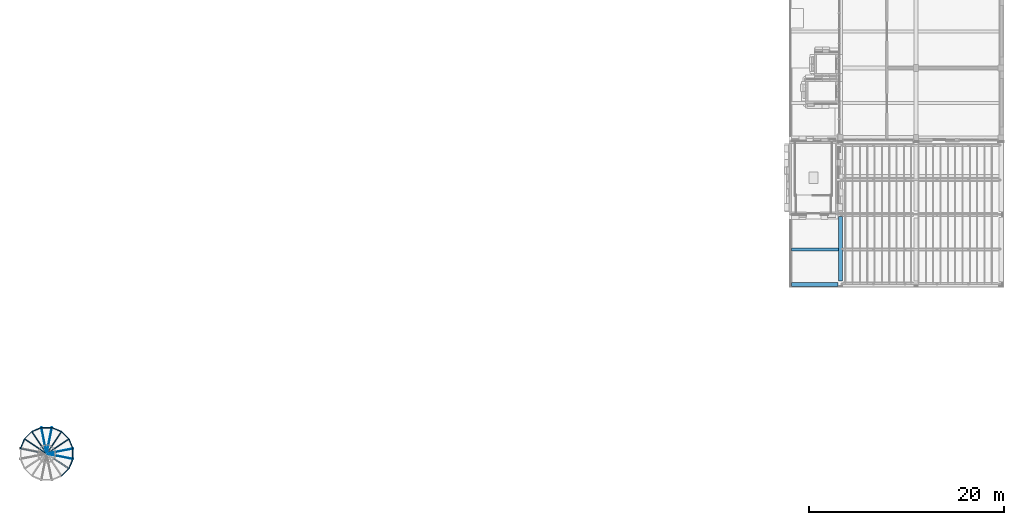
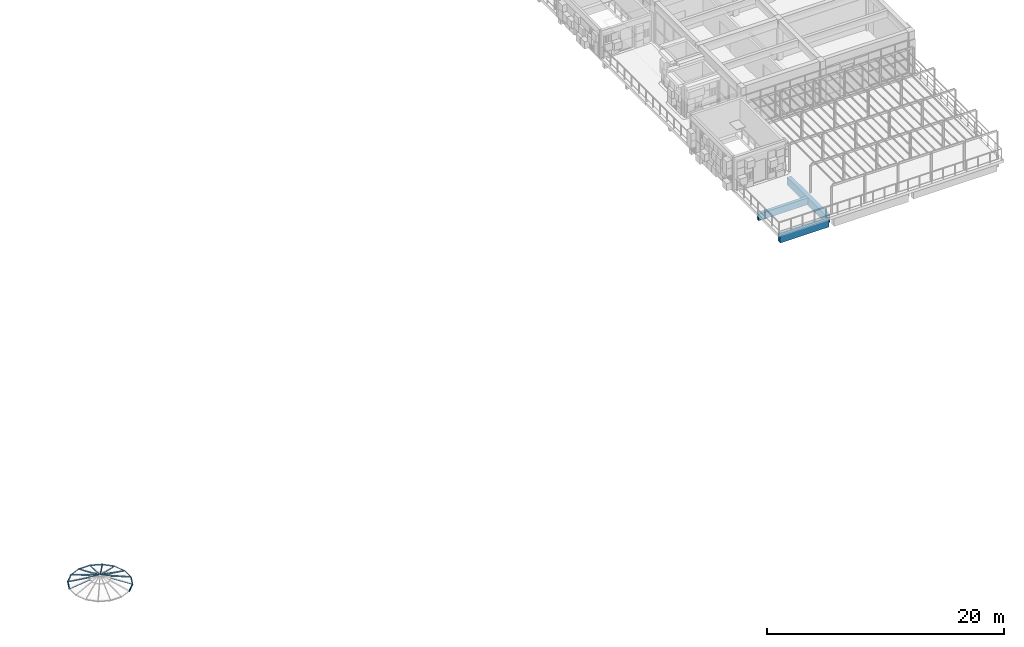
# One storey, part 2 of 26: 28 members, 3 beams.
"""IFC4 building model written with IfcOpenShell, lengths in metres."""

from ifc_helpers import new_model, si_unit, direction, frame, origin, origin_2d, place, context, subcontext, project, spatial, rectangle, hollow_rectangle, hollow_circle, extrude, material, material_profile, profile_set, type_object, element, save


model = new_model("IFC4")

# Units and contexts
model_context = context("Model", 3, precision=1e-05, world=origin(), true_north=direction((0.0, 1.0)))
body_context = subcontext(model_context, "Body", "Model", "MODEL_VIEW")
ifc_project = project(units=[si_unit("LENGTHUNIT", "METRE"), si_unit("AREAUNIT", "SQUARE_METRE"), si_unit("VOLUMEUNIT", "CUBIC_METRE"), si_unit("PLANEANGLEUNIT", "RADIAN"), si_unit("MASSUNIT", "GRAM", prefix="KILO")], contexts=[model_context])

# Site, building, storey
site_placement = place(None, origin())
site = spatial("IfcSite", under=ifc_project, at=site_placement, CompositionType="ELEMENT")
building_placement = place(site_placement, origin())
building = spatial("IfcBuilding", under=site, at=building_placement, Name="Sun Court Science Centre", CompositionType="ELEMENT")
storey_placement = place(building_placement, frame((0.0, 0.0, 29.25)))
storey = spatial("IfcBuildingStorey", under=building, at=storey_placement, Name="L06", CompositionType="ELEMENT", Elevation=29.25)

# Members
ifc_material_1 = material(Name="Aluminium EN AW-6063 T6", Category="aluminium")
ifc_material_profile_1 = material_profile(ifc_material_1, hollow_rectangle(XDim=0.050048828125, YDim=0.080078125, WallThickness=0.00390625, InnerFilletRadius=0.00390625, OuterFilletRadius=0.006103515625, at=origin_2d()), Name="AL 50x80x4")
ifc_profile_set_1 = profile_set([ifc_material_profile_1], Name="Aluminium EN AW-6063 T6")
member_type_1 = type_object("IfcMemberType", Name="Glazing bar AL 50x80", PredefinedType="USERDEFINED", material=ifc_profile_set_1)
member_1_placement = place(storey_placement, frame((8.685546875, 12.0341796875, 0.949951171875), z_axis=(-0.936985840717, -0.186369791152, 0.295506066337), x_axis=(0.195081984185, -0.980786938864, 0.0)))
element("IfcMember", 1, at=member_1_placement, inside=storey, type_object=member_type_1, Name="Lantern glazing bar cone 1 01", ObjectType="Glazing bar", PredefinedType="USERDEFINED", context=body_context, shape_type="SweptSolid", body=[
    extrude(hollow_rectangle(XDim=0.050048828125, YDim=0.080078125, WallThickness=0.00390625, InnerFilletRadius=0.00390625, OuterFilletRadius=0.006103515625, at=origin_2d()), origin(), (0.0, 0.0, 1.0), 2.708984375),
])
for number, where, z_axis, x_axis, name in (
    (2, (8.27685546875, 13.021240234375, 0.949951171875), (-0.794343493221, -0.530763831546, 0.295479559191), (0.555570579074, -0.831469381076, 0.0), "Lantern glazing bar cone 1 02"),
    (3, (7.521240234375, 13.77685546875, 0.949951171875), (-0.530763831546, -0.794343493221, 0.295479559191), (0.831469381076, -0.555570579074, 0.0), "Lantern glazing bar cone 1 03"),
):
    element("IfcMember", number, at=place(storey_placement, frame(where, z_axis=z_axis, x_axis=x_axis)), inside=storey, type_object=member_type_1, Name=name, ObjectType="Glazing bar", PredefinedType="USERDEFINED", context=body_context, shape_type="SweptSolid", body=[
        extrude(hollow_rectangle(XDim=0.050048828125, YDim=0.080078125, WallThickness=0.00390625, InnerFilletRadius=0.00390625, OuterFilletRadius=0.006103515625, at=origin_2d()), origin(), (0.0, 0.0, 1.0), 2.709228515625),
    ])
for number, where, z_axis, x_axis, name in (
    (4, (6.5341796875, 14.185546875, 0.949951171875), (-0.186369791152, -0.936985840717, 0.295506066337), (0.980786938864, -0.195081984185, 0.0), "Lantern glazing bar cone 1 04"),
    (5, (5.4658203125, 14.185546875, 0.949951171875), (0.186369791152, -0.936985840717, 0.295506066337), (0.980786938864, 0.195081984185, 0.0), "Lantern glazing bar cone 1 05"),
):
    element("IfcMember", number, at=place(storey_placement, frame(where, z_axis=z_axis, x_axis=x_axis)), inside=storey, type_object=member_type_1, Name=name, ObjectType="Glazing bar", PredefinedType="USERDEFINED", context=body_context, shape_type="SweptSolid", body=[
        extrude(hollow_rectangle(XDim=0.050048828125, YDim=0.080078125, WallThickness=0.00390625, InnerFilletRadius=0.00390625, OuterFilletRadius=0.006103515625, at=origin_2d()), origin(), (0.0, 0.0, 1.0), 2.708984375),
    ])
for number, where, z_axis, x_axis, name in (
    (6, (4.478759765625, 13.77685546875, 0.949951171875), (0.530763831546, -0.794343493221, 0.295479559191), (0.831469381076, 0.555570579074, 0.0), "Lantern glazing bar cone 1 06"),
    (7, (3.72314453125, 13.021240234375, 0.949951171875), (0.794343493221, -0.530763831546, 0.295479559191), (0.555570579074, 0.831469381076, 0.0), "Lantern glazing bar cone 1 07"),
):
    element("IfcMember", number, at=place(storey_placement, frame(where, z_axis=z_axis, x_axis=x_axis)), inside=storey, type_object=member_type_1, Name=name, ObjectType="Glazing bar", PredefinedType="USERDEFINED", context=body_context, shape_type="SweptSolid", body=[
        extrude(hollow_rectangle(XDim=0.050048828125, YDim=0.080078125, WallThickness=0.00390625, InnerFilletRadius=0.00390625, OuterFilletRadius=0.006103515625, at=origin_2d()), origin(), (0.0, 0.0, 1.0), 2.709228515625),
    ])
member_2_placement = place(storey_placement, frame((8.685546875, 10.9658203125, 0.949951171875), z_axis=(-0.936985840717, 0.186369791152, 0.295506066337), x_axis=(-0.195081984185, -0.980786938864, 0.0)))
element("IfcMember", 8, at=member_2_placement, inside=storey, type_object=member_type_1, Name="Lantern glazing bar cone 1 16", ObjectType="Glazing bar", PredefinedType="USERDEFINED", context=body_context, shape_type="SweptSolid", body=[
    extrude(hollow_rectangle(XDim=0.050048828125, YDim=0.080078125, WallThickness=0.00390625, InnerFilletRadius=0.00390625, OuterFilletRadius=0.006103515625, at=origin_2d()), origin(), (0.0, 0.0, 1.0), 2.708984375),
])
ifc_material_2 = material(Name="Steel S355", Category="steel")
ifc_material_profile_2 = material_profile(ifc_material_2, hollow_circle(Radius=0.04443359375, WallThickness=0.0048828125, at=origin_2d()), Name="CHS 88.9x5")
ifc_profile_set_2 = profile_set([ifc_material_profile_2], Name="Steel S355")
member_type_2 = type_object("IfcMemberType", Name="Lantern base ring CHS 88.9x5", PredefinedType="CHORD", material=ifc_profile_set_2)
member_3_placement = place(storey_placement, frame((8.685546875, 12.0341796875, 0.9443359375), z_axis=(-0.382553629487, 0.923933287942, 0.0), x_axis=(-0.923933287942, -0.382553629487, 0.0)))
element("IfcMember", 9, at=member_3_placement, inside=storey, type_object=member_type_2, Name="Cone 1 lantern base ring 1", PredefinedType="CHORD", context=body_context, shape_type="SweptSolid", body=[
    extrude(hollow_circle(Radius=0.04443359375, WallThickness=0.0048828125, at=origin_2d()), origin(), (0.0, 0.0, 1.0), 1.068359375),
])
member_4_placement = place(storey_placement, frame((8.27685546875, 13.021240234375, 0.9443359375), z_axis=(-0.707106781187, 0.707106781187, 0.0), x_axis=(-0.707106781187, -0.707106781187, 0.0)))
element("IfcMember", 10, at=member_4_placement, inside=storey, type_object=member_type_2, Name="Cone 1 lantern base ring 2", PredefinedType="CHORD", context=body_context, shape_type="SweptSolid", body=[
    extrude(hollow_circle(Radius=0.04443359375, WallThickness=0.0048828125, at=origin_2d()), origin(), (0.0, 0.0, 1.0), 1.068603515625),
])
for number, where, z_axis, x_axis, name in (
    (11, (7.521240234375, 13.77685546875, 0.9443359375), (-0.923933287942, 0.382553629487, 0.0), (-0.382553629487, -0.923933287942, 0.0), "Cone 1 lantern base ring 3"),
    (12, (6.5341796875, 14.185546875, 0.9443359375), (-1.0, 0.0, 0.0), (0.0, -1.0, 0.0), "Cone 1 lantern base ring 4"),
    (13, (5.4658203125, 14.185546875, 0.9443359375), (-0.923933287942, -0.382553629487, 0.0), (0.382553629487, -0.923933287942, 0.0), "Cone 1 lantern base ring 5"),
):
    element("IfcMember", number, at=place(storey_placement, frame(where, z_axis=z_axis, x_axis=x_axis)), inside=storey, type_object=member_type_2, Name=name, PredefinedType="CHORD", context=body_context, shape_type="SweptSolid", body=[
        extrude(hollow_circle(Radius=0.04443359375, WallThickness=0.0048828125, at=origin_2d()), origin(), (0.0, 0.0, 1.0), 1.068359375),
    ])
member_5_placement = place(storey_placement, frame((4.478759765625, 13.77685546875, 0.9443359375), z_axis=(-0.707106781187, -0.707106781187, 0.0), x_axis=(0.707106781187, -0.707106781187, 0.0)))
element("IfcMember", 14, at=member_5_placement, inside=storey, type_object=member_type_2, Name="Cone 1 lantern base ring 6", PredefinedType="CHORD", context=body_context, shape_type="SweptSolid", body=[
    extrude(hollow_circle(Radius=0.04443359375, WallThickness=0.0048828125, at=origin_2d()), origin(), (0.0, 0.0, 1.0), 1.068603515625),
])
member_6_placement = place(storey_placement, frame((3.72314453125, 13.021240234375, 0.9443359375), z_axis=(-0.382553629487, -0.923933287942, 0.0), x_axis=(0.923933287942, -0.382553629487, 0.0)))
element("IfcMember", 15, at=member_6_placement, inside=storey, type_object=member_type_2, Name="Cone 1 lantern base ring 7", PredefinedType="CHORD", context=body_context, shape_type="SweptSolid", body=[
    extrude(hollow_circle(Radius=0.04443359375, WallThickness=0.0048828125, at=origin_2d()), origin(), (0.0, 0.0, 1.0), 1.068359375),
])
member_7_placement = place(storey_placement, frame((7.521240234375, 9.22314453125, 0.9443359375), z_axis=(0.707106781187, 0.707106781187, 0.0), x_axis=(-0.707106781187, 0.707106781187, 0.0)))
element("IfcMember", 16, at=member_7_placement, inside=storey, type_object=member_type_2, Name="Cone 1 lantern base ring 14", PredefinedType="CHORD", context=body_context, shape_type="SweptSolid", body=[
    extrude(hollow_circle(Radius=0.04443359375, WallThickness=0.0048828125, at=origin_2d()), origin(), (0.0, 0.0, 1.0), 1.068603515625),
])
for number, where, z_axis, x_axis, name in (
    (17, (8.27685546875, 9.978759765625, 0.9443359375), (0.382553629487, 0.923933287942, 0.0), (-0.923933287942, 0.382553629487, 0.0), "Cone 1 lantern base ring 15"),
    (18, (8.685546875, 10.9658203125, 0.9443359375), (0.0, 1.0, 0.0), (-1.0, 0.0, 0.0), "Cone 1 lantern base ring 16"),
):
    element("IfcMember", number, at=place(storey_placement, frame(where, z_axis=z_axis, x_axis=x_axis)), inside=storey, type_object=member_type_2, Name=name, PredefinedType="CHORD", context=body_context, shape_type="SweptSolid", body=[
        extrude(hollow_circle(Radius=0.04443359375, WallThickness=0.0048828125, at=origin_2d()), origin(), (0.0, 0.0, 1.0), 1.068359375),
    ])
ifc_material_3 = material(Name="Steel S355", Category="steel")
ifc_material_profile_3 = material_profile(ifc_material_3, hollow_circle(Radius=0.04443359375, WallThickness=0.0048828125, at=origin_2d()), Name="CHS 88.9x5")
ifc_profile_set_3 = profile_set([ifc_material_profile_3], Name="Steel S355")
member_type_3 = type_object("IfcMemberType", Name="Lantern rafter CHS 88.9x5", PredefinedType="RAFTER", material=ifc_profile_set_3)
member_8_placement = place(storey_placement, frame((8.685546875, 12.0341796875, 0.9443359375), z_axis=(-0.943177088287, -0.187639103832, 0.274241767139), x_axis=(0.195119846833, -0.98077940709, 0.0)))
element("IfcMember", 19, at=member_8_placement, inside=storey, type_object=member_type_3, Name="Cone 1 lantern rafter 1", PredefinedType="RAFTER", context=body_context, shape_type="SweptSolid", body=[
    extrude(hollow_circle(Radius=0.04443359375, WallThickness=0.0048828125, at=origin_2d()), origin(), (0.0, 0.0, 1.0), 1.911376953125),
])
for number, where, z_axis, x_axis, name in (
    (20, (8.27685546875, 13.021240234375, 0.9443359375), (-0.799627820623, -0.534234654794, 0.274205547177), (0.555527405312, -0.831498227267, 0.0), "Cone 1 lantern rafter 2"),
    (21, (7.521240234375, 13.77685546875, 0.9443359375), (-0.534234654794, -0.799627820623, 0.274205547177), (0.831498227267, -0.555527405312, 0.0), "Cone 1 lantern rafter 3"),
):
    element("IfcMember", number, at=place(storey_placement, frame(where, z_axis=z_axis, x_axis=x_axis)), inside=storey, type_object=member_type_3, Name=name, PredefinedType="RAFTER", context=body_context, shape_type="SweptSolid", body=[
        extrude(hollow_circle(Radius=0.04443359375, WallThickness=0.0048828125, at=origin_2d()), origin(), (0.0, 0.0, 1.0), 1.91162109375),
    ])
for number, where, z_axis, x_axis, name in (
    (22, (6.5341796875, 14.185546875, 0.9443359375), (-0.187639103832, -0.943177088287, 0.274241767139), (0.98077940709, -0.195119846833, 0.0), "Cone 1 lantern rafter 4"),
    (23, (5.4658203125, 14.185546875, 0.9443359375), (0.187639103832, -0.943177088287, 0.274241767139), (0.98077940709, 0.195119846833, 0.0), "Cone 1 lantern rafter 5"),
):
    element("IfcMember", number, at=place(storey_placement, frame(where, z_axis=z_axis, x_axis=x_axis)), inside=storey, type_object=member_type_3, Name=name, PredefinedType="RAFTER", context=body_context, shape_type="SweptSolid", body=[
        extrude(hollow_circle(Radius=0.04443359375, WallThickness=0.0048828125, at=origin_2d()), origin(), (0.0, 0.0, 1.0), 1.911376953125),
    ])
for number, where, z_axis, x_axis, name in (
    (24, (4.478759765625, 13.77685546875, 0.9443359375), (0.534234654794, -0.799627820623, 0.274205547177), (0.831498227267, 0.555527405312, 0.0), "Cone 1 lantern rafter 6"),
    (25, (3.72314453125, 13.021240234375, 0.9443359375), (0.799627820623, -0.534234654794, 0.274205547177), (0.555527405312, 0.831498227267, 0.0), "Cone 1 lantern rafter 7"),
):
    element("IfcMember", number, at=place(storey_placement, frame(where, z_axis=z_axis, x_axis=x_axis)), inside=storey, type_object=member_type_3, Name=name, PredefinedType="RAFTER", context=body_context, shape_type="SweptSolid", body=[
        extrude(hollow_circle(Radius=0.04443359375, WallThickness=0.0048828125, at=origin_2d()), origin(), (0.0, 0.0, 1.0), 1.91162109375),
    ])
member_9_placement = place(storey_placement, frame((3.314453125, 12.0341796875, 0.9443359375), z_axis=(0.943177088287, -0.187639103832, 0.274241767139), x_axis=(0.195119846833, 0.98077940709, 0.0)))
element("IfcMember", 26, at=member_9_placement, inside=storey, type_object=member_type_3, Name="Cone 1 lantern rafter 8", PredefinedType="RAFTER", context=body_context, shape_type="SweptSolid", body=[
    extrude(hollow_circle(Radius=0.04443359375, WallThickness=0.0048828125, at=origin_2d()), origin(), (0.0, 0.0, 1.0), 1.911376953125),
])
member_10_placement = place(storey_placement, frame((8.27685546875, 9.978759765625, 0.9443359375), z_axis=(-0.799627820623, 0.534234654794, 0.274205547177), x_axis=(-0.555527405312, -0.831498227267, 0.0)))
element("IfcMember", 27, at=member_10_placement, inside=storey, type_object=member_type_3, Name="Cone 1 lantern rafter 15", PredefinedType="RAFTER", context=body_context, shape_type="SweptSolid", body=[
    extrude(hollow_circle(Radius=0.04443359375, WallThickness=0.0048828125, at=origin_2d()), origin(), (0.0, 0.0, 1.0), 1.91162109375),
])
member_11_placement = place(storey_placement, frame((8.685546875, 10.9658203125, 0.9443359375), z_axis=(-0.943177088287, 0.187639103832, 0.274241767139), x_axis=(-0.195119846833, -0.98077940709, 0.0)))
element("IfcMember", 28, at=member_11_placement, inside=storey, type_object=member_type_3, Name="Cone 1 lantern rafter 16", PredefinedType="RAFTER", context=body_context, shape_type="SweptSolid", body=[
    extrude(hollow_circle(Radius=0.04443359375, WallThickness=0.0048828125, at=origin_2d()), origin(), (0.0, 0.0, 1.0), 1.911376953125),
])

# Beams
ifc_material_4 = material(Name="Concrete C25/30", Category="concrete")
ifc_material_profile_4 = material_profile(ifc_material_4, rectangle(XDim=0.39990234375, YDim=0.800048828125, at=origin_2d()), Name="RC 400x800")
ifc_profile_set_4 = profile_set([ifc_material_profile_4], Name="Concrete C25/30")
beam_type_1 = type_object("IfcBeamType", Name="RC girder 400x800", PredefinedType="BEAM", material=ifc_profile_set_4)
beam_1_placement = place(storey_placement, frame((82.25, 28.85009765625, -0.699951171875), z_axis=(1.0, 0.0, 0.0), x_axis=(0.0, 1.0, 0.0)))
element("IfcBeam", 29, at=beam_1_placement, inside=storey, type_object=beam_type_1, Name="Girder L06 row 1", PredefinedType="BEAM", context=body_context, shape_type="SweptSolid", body=[
    extrude(rectangle(XDim=0.39990234375, YDim=0.800048828125, at=origin_2d()), origin(), (0.0, 0.0, 1.0), 4.75),
])
beam_2_placement = place(storey_placement, frame((87.25, 29.199951171875, -0.699951171875), z_axis=(0.0, 1.0, 0.0), x_axis=(-1.0, 0.0, 0.0)))
element("IfcBeam", 30, at=beam_2_placement, inside=storey, type_object=beam_type_1, Name="Girder L06 line 1", PredefinedType="BEAM", context=body_context, shape_type="SweptSolid", body=[
    extrude(rectangle(XDim=0.39990234375, YDim=0.800048828125, at=origin_2d()), origin(), (0.0, 0.0, 1.0), 6.574951171875),
])
ifc_material_5 = material(Name="Concrete C25/30", Category="concrete")
ifc_material_profile_5 = material_profile(ifc_material_5, rectangle(XDim=0.300048828125, YDim=0.699951171875, at=origin_2d()), Name="RC 300x700")
ifc_profile_set_5 = profile_set([ifc_material_profile_5], Name="Concrete C25/30")
beam_type_2 = type_object("IfcBeamType", Name="RC joist 300x700", PredefinedType="JOIST", material=ifc_profile_set_5)
beam_3_placement = place(storey_placement, frame((82.25, 32.425048828125, -0.64990234375), z_axis=(1.0, 0.0, 0.0), x_axis=(0.0, 1.0, 0.0)))
element("IfcBeam", 31, at=beam_3_placement, inside=storey, type_object=beam_type_2, Name="Joist L06", PredefinedType="JOIST", context=body_context, shape_type="SweptSolid", body=[
    extrude(rectangle(XDim=0.300048828125, YDim=0.699951171875, at=origin_2d()), origin(), (0.0, 0.0, 1.0), 4.800048828125),
])

save(model, "model.ifc")
